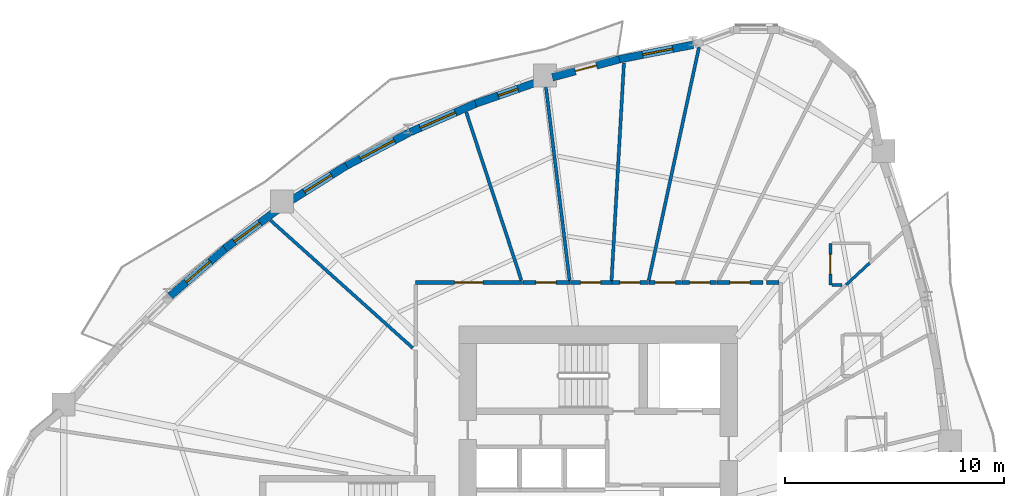
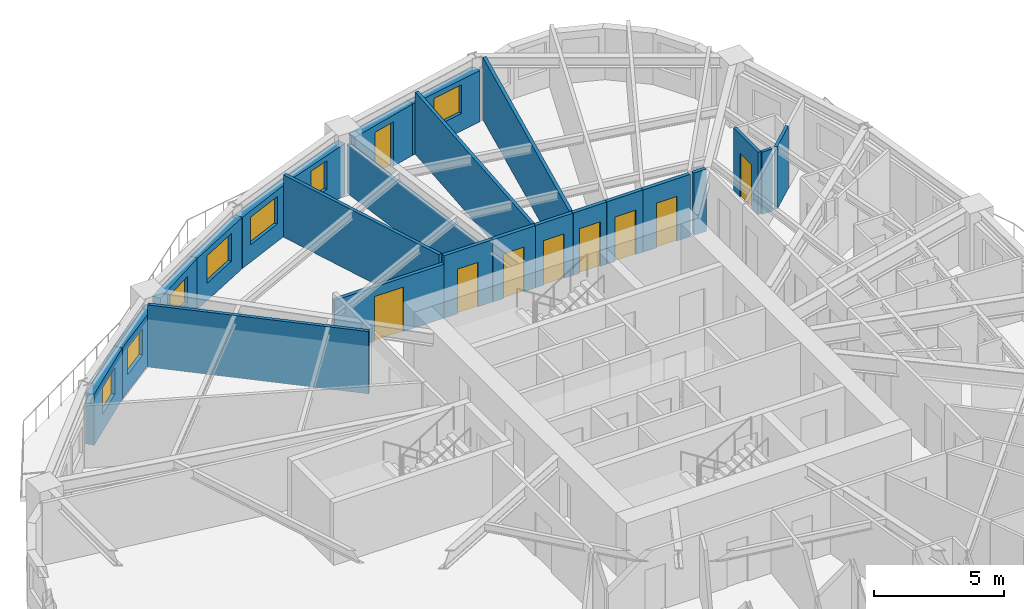
# One storey, part 8 of 14: 24 walls, 9 doors, 7 windows, 16 openings.
"""IFC4 building model written with IfcOpenShell, lengths in metres."""

from ifc_helpers import new_model, si_unit, direction, frame, frame_2d, origin, place, context, subcontext, project, spatial, rectangle, extrude, source, transform, mapped, material, layer, layer_set, type_object, element, fill, save


model = new_model("IFC4")

# Units and contexts
model_context = context("Model", 3, precision=1e-05, world=origin(), true_north=direction((0.0, 1.0)))
body_context = subcontext(model_context, "Body", "Model", "MODEL_VIEW")
ifc_project = project(units=[si_unit("LENGTHUNIT", "METRE"), si_unit("AREAUNIT", "SQUARE_METRE"), si_unit("VOLUMEUNIT", "CUBIC_METRE"), si_unit("PLANEANGLEUNIT", "RADIAN"), si_unit("MASSUNIT", "GRAM", prefix="KILO")], contexts=[model_context])

# Site, building, storey
site_placement = place(None, origin())
site = spatial("IfcSite", under=ifc_project, at=site_placement, CompositionType="ELEMENT")
building_placement = place(site_placement, origin())
building = spatial("IfcBuilding", under=site, at=building_placement, Name="Qafzar Sky-Pleat Residences", CompositionType="ELEMENT")
storey_placement = place(building_placement, frame((0.0, 0.0, 23.800048828125)))
storey = spatial("IfcBuildingStorey", under=building, at=storey_placement, Name="L06", CompositionType="ELEMENT", Elevation=23.800048828125)

# Wall, opening, door
ifc_material_1 = material(Name="Acoustic gypsum plasterboard partition", Category="gypsum")
ifc_layer_1 = layer(ifc_material_1, 0.159912109375)
ifc_layer_set_1 = layer_set([ifc_layer_1], Name="Acoustic gypsum plasterboard partition")
wall_type_1 = type_object("IfcWallType", Name="PART-COR-160", PredefinedType="PARTITIONING", material=ifc_layer_set_1)
wall_1_placement = place(storey_placement, frame((22.02001953125, 36.580078125, 0.0), z_axis=(0.0, 0.0, 1.0), x_axis=(1.0, 0.0, 0.0)))
wall_1 = element("IfcWall", 1, at=wall_1_placement, inside=storey, type_object=wall_type_1, Name="L06 Partition Wall PART-L06-PW-002", PredefinedType="PARTITIONING", context=body_context, shape_type="SweptSolid", body=[
    extrude(rectangle(XDim=4.8740234375, YDim=0.159912109375, at=frame_2d((2.43701171875, 0.0))), origin(), (0.0, 0.0, 1.0), 2.54296875),
])
opening_1_placement = place(wall_1_placement, frame((1.779052734375, 0.0, 0.0)))
opening_1 = element("IfcOpeningElement", 2, at=opening_1_placement, cuts=wall_1, Name="Opening ID-05", PredefinedType="OPENING", context=body_context, shape_type="SweptSolid", body=[
    extrude(rectangle(XDim=1.300048828125, YDim=2.10009765625, at=frame_2d((0.64990234375, 1.050048828125))), frame((0.0, 0.08984375, 0.0), z_axis=(0.0, -1.0, 0.0), x_axis=(1.0, 0.0, 0.0)), (0.0, 0.0, 1.0), 0.179931640625),
])
ifc_material_2 = material(Name="Timber-faced fire door", Category="wood")
door_type_1 = type_object("IfcDoorType", Name="DR-LNG-1300", OperationType="DOUBLE_DOOR_SINGLE_SWING", PredefinedType="DOOR", material=ifc_material_2)
shared_shape_1 = source(origin(), body_context, "Body", "SweptSolid", [
    extrude(rectangle(XDim=1.300048828125, YDim=2.10009765625, at=frame_2d((0.64990234375, 1.050048828125))), frame((0.0, 0.02490234375, 0.0), z_axis=(0.0, -1.0, 0.0), x_axis=(1.0, 0.0, 0.0)), (0.0, 0.0, 1.0), 0.050048828125),
])
door_1_placement = place(opening_1_placement, origin())
door_1 = element("IfcDoor", 3, at=door_1_placement, inside=storey, type_object=door_type_1, Name="L06 Tutorial Huddle Room Door", OperationType="DOUBLE_DOOR_SINGLE_SWING", OverallHeight=2.10009765625, OverallWidth=1.300048828125, PredefinedType="DOOR", context=body_context, shape_type="MappedRepresentation", body=[
    mapped(shared_shape_1, transform((0.0, 0.0, 0.0), x_axis=(1.0, 0.0, 0.0), y_axis=(0.0, 1.0, 0.0), z_axis=(0.0, 0.0, 1.0), scale=1.0)),
])
fill(opening_1, door_1)

wall_2_placement = place(storey_placement, frame((26.908935546875, 36.580078125, 0.0), z_axis=(0.0, 0.0, 1.0), x_axis=(1.0, 0.0, 0.0)))
wall_2 = element("IfcWall", 4, at=wall_2_placement, inside=storey, type_object=wall_type_1, Name="L06 Partition Wall PART-L06-PW-016", PredefinedType="PARTITIONING", context=body_context, shape_type="SweptSolid", body=[
    extrude(rectangle(XDim=2.162109375, YDim=0.159912109375, at=frame_2d((1.0810546875, 0.0))), origin(), (0.0, 0.0, 1.0), 2.93505859375),
])
opening_2_placement = place(wall_2_placement, frame((0.597412109375, 0.0, 0.0)))
opening_2 = element("IfcOpeningElement", 5, at=opening_2_placement, cuts=wall_2, Name="Opening ID-04", PredefinedType="OPENING", context=body_context, shape_type="SweptSolid", body=[
    extrude(rectangle(XDim=0.919921875, YDim=2.10009765625, at=frame_2d((0.4599609375, 1.050048828125))), frame((0.0, 0.08984375, 0.0), z_axis=(0.0, -1.0, 0.0), x_axis=(1.0, 0.0, 0.0)), (0.0, 0.0, 1.0), 0.179931640625),
])
door_type_2 = type_object("IfcDoorType", Name="DR-BED-920", OperationType="NOTDEFINED", PredefinedType="DOOR", material=ifc_material_2)
shared_shape_2 = source(origin(), body_context, "Body", "SweptSolid", [
    extrude(rectangle(XDim=0.919921875, YDim=2.10009765625, at=frame_2d((0.4599609375, 1.050048828125))), frame((0.0, 0.02490234375, 0.0), z_axis=(0.0, -1.0, 0.0), x_axis=(1.0, 0.0, 0.0)), (0.0, 0.0, 1.0), 0.050048828125),
])
door_2_placement = place(opening_2_placement, origin())
door_2 = element("IfcDoor", 6, at=door_2_placement, inside=storey, type_object=door_type_2, Name="L06 Co-Living Bedroom 3 Door", OperationType="SINGLE_SWING_LEFT", OverallHeight=2.10009765625, OverallWidth=0.919921875, PredefinedType="DOOR", context=body_context, shape_type="MappedRepresentation", body=[
    mapped(shared_shape_2, transform((0.0, 0.0, 0.0), x_axis=(1.0, 0.0, 0.0), y_axis=(0.0, 1.0, 0.0), z_axis=(0.0, 0.0, 1.0), scale=1.0)),
])
fill(opening_2, door_2)

wall_3_placement = place(storey_placement, frame((35.77294921875, 36.580078125, 0.0), z_axis=(0.0, 0.0, 1.0), x_axis=(1.0, 0.0, 0.0)))
wall_3 = element("IfcWall", 7, at=wall_3_placement, inside=storey, type_object=wall_type_1, Name="L06 Partition Wall PART-L06-PW-017", PredefinedType="PARTITIONING", context=body_context, shape_type="SweptSolid", body=[
    extrude(rectangle(XDim=2.09716796875, YDim=0.159912109375, at=frame_2d((1.048583984375, 0.0))), origin(), (0.0, 0.0, 1.0), 2.93505859375),
])
opening_3_placement = place(wall_3_placement, frame((0.587890625, 0.0, 0.0)))
opening_3 = element("IfcOpeningElement", 8, at=opening_3_placement, cuts=wall_3, Name="Opening ID-04", PredefinedType="OPENING", context=body_context, shape_type="SweptSolid", body=[
    extrude(rectangle(XDim=0.919921875, YDim=2.10009765625, at=frame_2d((0.4599609375, 1.050048828125))), frame((0.0, 0.08984375, 0.0), z_axis=(0.0, -1.0, 0.0), x_axis=(1.0, 0.0, 0.0)), (0.0, 0.0, 1.0), 0.179931640625),
])
door_3_placement = place(opening_3_placement, origin())
door_3 = element("IfcDoor", 9, at=door_3_placement, inside=storey, type_object=door_type_2, Name="L06 Co-Living Bedroom 16 Door", OperationType="SINGLE_SWING_RIGHT", OverallHeight=2.10009765625, OverallWidth=0.919921875, PredefinedType="DOOR", context=body_context, shape_type="MappedRepresentation", body=[
    mapped(shared_shape_2, transform((0.0, 0.0, 0.0), x_axis=(1.0, 0.0, 0.0), y_axis=(0.0, 1.0, 0.0), z_axis=(0.0, 0.0, 1.0), scale=1.0)),
])
fill(opening_3, door_3)

wall_4_placement = place(storey_placement, frame((29.0859375, 36.580078125, 0.0), z_axis=(0.0, 0.0, 1.0), x_axis=(1.0, 0.0, 0.0)))
wall_4 = element("IfcWall", 10, at=wall_4_placement, inside=storey, type_object=wall_type_1, Name="L06 Partition Wall PART-L06-PW-026", PredefinedType="PARTITIONING", context=body_context, shape_type="SweptSolid", body=[
    extrude(rectangle(XDim=1.882080078125, YDim=0.159912109375, at=frame_2d((0.94091796875, 0.0))), origin(), (0.0, 0.0, 1.0), 2.93505859375),
])
opening_4_placement = place(wall_4_placement, frame((0.4580078125, 0.0, 0.0)))
opening_4 = element("IfcOpeningElement", 11, at=opening_4_placement, cuts=wall_4, Name="Opening ID-04", PredefinedType="OPENING", context=body_context, shape_type="SweptSolid", body=[
    extrude(rectangle(XDim=0.919921875, YDim=2.10009765625, at=frame_2d((0.4599609375, 1.050048828125))), frame((0.0, 0.08984375, 0.0), z_axis=(0.0, -1.0, 0.0), x_axis=(1.0, 0.0, 0.0)), (0.0, 0.0, 1.0), 0.179931640625),
])
door_4_placement = place(opening_4_placement, origin())
door_4 = element("IfcDoor", 12, at=door_4_placement, inside=storey, type_object=door_type_2, Name="L06 Co-Living Bedroom 4 Door", OperationType="SINGLE_SWING_LEFT", OverallHeight=2.10009765625, OverallWidth=0.919921875, PredefinedType="DOOR", context=body_context, shape_type="MappedRepresentation", body=[
    mapped(shared_shape_2, transform((0.0, 0.0, 0.0), x_axis=(1.0, 0.0, 0.0), y_axis=(0.0, 1.0, 0.0), z_axis=(0.0, 0.0, 1.0), scale=1.0)),
])
fill(opening_4, door_4)

wall_5_placement = place(storey_placement, frame((30.98291015625, 36.580078125, 0.0), z_axis=(0.0, 0.0, 1.0), x_axis=(1.0, 0.0, 0.0)))
wall_5 = element("IfcWall", 13, at=wall_5_placement, inside=storey, type_object=wall_type_1, Name="L06 Partition Wall PART-L06-PW-030", PredefinedType="PARTITIONING", context=body_context, shape_type="SweptSolid", body=[
    extrude(rectangle(XDim=1.6650390625, YDim=0.159912109375, at=frame_2d((0.83251953125, 0.0))), origin(), (0.0, 0.0, 1.0), 2.93505859375),
])
opening_5_placement = place(wall_5_placement, frame((0.35009765625, 0.0, 0.0)))
opening_5 = element("IfcOpeningElement", 14, at=opening_5_placement, cuts=wall_5, Name="Opening ID-04", PredefinedType="OPENING", context=body_context, shape_type="SweptSolid", body=[
    extrude(rectangle(XDim=0.919921875, YDim=2.10009765625, at=frame_2d((0.4599609375, 1.050048828125))), frame((0.0, 0.08984375, 0.0), z_axis=(0.0, -1.0, 0.0), x_axis=(1.0, 0.0, 0.0)), (0.0, 0.0, 1.0), 0.179931640625),
])
door_5_placement = place(opening_5_placement, origin())
door_5 = element("IfcDoor", 15, at=door_5_placement, inside=storey, type_object=door_type_2, Name="L06 Co-Living Bedroom 1 Door", OperationType="SINGLE_SWING_LEFT", OverallHeight=2.10009765625, OverallWidth=0.919921875, PredefinedType="DOOR", context=body_context, shape_type="MappedRepresentation", body=[
    mapped(shared_shape_2, transform((0.0, 0.0, 0.0), x_axis=(1.0, 0.0, 0.0), y_axis=(0.0, 1.0, 0.0), z_axis=(0.0, 0.0, 1.0), scale=1.0)),
])
fill(opening_5, door_5)

wall_6_placement = place(storey_placement, frame((34.162109375, 36.580078125, 0.0), z_axis=(0.0, 0.0, 1.0), x_axis=(1.0, 0.0, 0.0)))
wall_6 = element("IfcWall", 16, at=wall_6_placement, inside=storey, type_object=wall_type_1, Name="L06 Partition Wall PART-L06-PW-032", PredefinedType="PARTITIONING", context=body_context, shape_type="SweptSolid", body=[
    extrude(rectangle(XDim=1.595947265625, YDim=0.159912109375, at=frame_2d((0.7978515625, 0.0))), origin(), (0.0, 0.0, 1.0), 2.93505859375),
])
opening_6_placement = place(wall_6_placement, frame((0.362060546875, 0.0, 0.0)))
opening_6 = element("IfcOpeningElement", 17, at=opening_6_placement, cuts=wall_6, Name="Opening ID-04", PredefinedType="OPENING", context=body_context, shape_type="SweptSolid", body=[
    extrude(rectangle(XDim=0.919921875, YDim=2.10009765625, at=frame_2d((0.4599609375, 1.050048828125))), frame((0.0, 0.08984375, 0.0), z_axis=(0.0, -1.0, 0.0), x_axis=(1.0, 0.0, 0.0)), (0.0, 0.0, 1.0), 0.179931640625),
])
door_6_placement = place(opening_6_placement, origin())
door_6 = element("IfcDoor", 18, at=door_6_placement, inside=storey, type_object=door_type_2, Name="L06 Co-Living Bedroom 15 Door", OperationType="SINGLE_SWING_LEFT", OverallHeight=2.10009765625, OverallWidth=0.919921875, PredefinedType="DOOR", context=body_context, shape_type="MappedRepresentation", body=[
    mapped(shared_shape_2, transform((0.0, 0.0, 0.0), x_axis=(1.0, 0.0, 0.0), y_axis=(0.0, 1.0, 0.0), z_axis=(0.0, 0.0, 1.0), scale=1.0)),
])
fill(opening_6, door_6)

wall_7_placement = place(storey_placement, frame((32.6630859375, 36.580078125, 0.0), z_axis=(0.0, 0.0, 1.0), x_axis=(1.0, 0.0, 0.0)))
wall_7 = element("IfcWall", 19, at=wall_7_placement, inside=storey, type_object=wall_type_1, Name="L06 Partition Wall PART-L06-PW-033", PredefinedType="PARTITIONING", context=body_context, shape_type="SweptSolid", body=[
    extrude(rectangle(XDim=1.48388671875, YDim=0.159912109375, at=frame_2d((0.741943359375, 0.0))), origin(), (0.0, 0.0, 1.0), 2.93505859375),
])
opening_7_placement = place(wall_7_placement, frame((0.282470703125, 0.0, 0.0)))
opening_7 = element("IfcOpeningElement", 20, at=opening_7_placement, cuts=wall_7, Name="Opening ID-04", PredefinedType="OPENING", context=body_context, shape_type="SweptSolid", body=[
    extrude(rectangle(XDim=0.919921875, YDim=2.10009765625, at=frame_2d((0.4599609375, 1.050048828125))), frame((0.0, 0.08984375, 0.0), z_axis=(0.0, -1.0, 0.0), x_axis=(1.0, 0.0, 0.0)), (0.0, 0.0, 1.0), 0.179931640625),
])
door_7_placement = place(opening_7_placement, origin())
door_7 = element("IfcDoor", 21, at=door_7_placement, inside=storey, type_object=door_type_2, Name="L06 Co-Living Bedroom 2 Door", OperationType="SINGLE_SWING_RIGHT", OverallHeight=2.10009765625, OverallWidth=0.919921875, PredefinedType="DOOR", context=body_context, shape_type="MappedRepresentation", body=[
    mapped(shared_shape_2, transform((0.0, 0.0, 0.0), x_axis=(1.0, 0.0, 0.0), y_axis=(0.0, 1.0, 0.0), z_axis=(0.0, 0.0, 1.0), scale=1.0)),
])
fill(opening_7, door_7)

# Walls
wall_8_placement = place(storey_placement, frame((38.03857421875, 36.580078125, 0.0), z_axis=(0.0, 0.0, 1.0), x_axis=(1.0, 0.0, 0.0)))
element("IfcWall", 22, at=wall_8_placement, inside=storey, type_object=wall_type_1, Name="L06 Partition Wall PART-L06-PW-098", PredefinedType="PARTITIONING", context=body_context, shape_type="SweptSolid", body=[
    extrude(rectangle(XDim=0.553466796875, YDim=0.159912109375, at=frame_2d((0.27685546875, 0.0))), origin(), (0.0, 0.0, 1.0), 2.93505859375),
])
ifc_layer_2 = layer(ifc_material_1, 0.14501953125)
ifc_layer_set_2 = layer_set([ifc_layer_2], Name="Acoustic gypsum plasterboard partition")
wall_type_2 = type_object("IfcWallType", Name="PART-UNIT-145", PredefinedType="PARTITIONING", material=ifc_layer_set_2)
wall_9_placement = place(storey_placement, frame((32.6552734375, 36.68310546875, 0.0), z_axis=(0.0, 0.0, 1.0), x_axis=(0.210861831441, 0.977515876107, 0.0)))
element("IfcWall", 23, at=wall_9_placement, inside=storey, type_object=wall_type_2, Name="L06 Partition Wall PART-L06-PW-038", PredefinedType="PARTITIONING", context=body_context, shape_type="SweptSolid", body=[
    extrude(rectangle(XDim=10.88232421875, YDim=0.14501953125, at=frame_2d((5.441162109375, 0.0))), origin(), (0.0, 0.0, 1.0), 2.93505859375),
])
wall_10_placement = place(storey_placement, frame((30.958251953125, 36.672119140625, 0.0), z_axis=(0.0, 0.0, 1.0), x_axis=(0.056976385457, 0.998375526293, 0.0)))
element("IfcWall", 24, at=wall_10_placement, inside=storey, type_object=wall_type_2, Name="L06 Partition Wall PART-L06-PW-039", PredefinedType="PARTITIONING", context=body_context, shape_type="SweptSolid", body=[
    extrude(rectangle(XDim=9.9453125, YDim=0.14501953125, at=frame_2d((4.97265625, 0.0))), origin(), (0.0, 0.0, 1.0), 2.93505859375),
])
wall_11_placement = place(storey_placement, frame((27.94189453125, 45.679931640625, 0.0), z_axis=(0.0, 0.0, 1.0), x_axis=(0.12142050141, -0.992601159498, 0.0)))
element("IfcWall", 25, at=wall_11_placement, inside=storey, type_object=wall_type_2, Name="L06 Partition Wall PART-L06-PW-041", PredefinedType="PARTITIONING", context=body_context, shape_type="SweptSolid", body=[
    extrude(rectangle(XDim=9.0703125, YDim=0.14501953125, at=frame_2d((4.53515625, 0.0))), origin(), (0.0, 0.0, 1.0), 2.302978515625),
])
wall_12_placement = place(storey_placement, frame((15.397705078125, 39.416748046875, 0.0), z_axis=(0.0, 0.0, 1.0), x_axis=(0.744248709075, -0.667902581998, 0.0)))
element("IfcWall", 26, at=wall_12_placement, inside=storey, type_object=wall_type_2, Name="L06 Partition Wall PART-L06-PW-042", PredefinedType="PARTITIONING", context=body_context, shape_type="SweptSolid", body=[
    extrude(rectangle(XDim=8.71728515625, YDim=0.14501953125, at=frame_2d((4.358642578125, 0.0))), origin(), (0.0, 0.0, 1.0), 2.93505859375),
])
wall_13_placement = place(storey_placement, frame((24.329833984375, 44.34716796875, 0.0), z_axis=(0.0, 0.0, 1.0), x_axis=(0.311716142238, -0.950175271552, 0.0)))
element("IfcWall", 27, at=wall_13_placement, inside=storey, type_object=wall_type_2, Name="L06 Partition Wall PART-L06-PW-044", PredefinedType="PARTITIONING", context=body_context, shape_type="SweptSolid", body=[
    extrude(rectangle(XDim=8.05859375, YDim=0.14501953125, at=frame_2d((4.029296875, 0.0))), origin(), (0.0, 0.0, 1.0), 2.93505859375),
])

# Wall, opening, door
ifc_material_3 = material(Name="Moisture-resistant gypsum partition", Category="gypsum")
ifc_layer_3 = layer(ifc_material_3, 0.1298828125)
ifc_layer_set_3 = layer_set([ifc_layer_3], Name="Moisture-resistant gypsum partition")
wall_type_3 = type_object("IfcWallType", Name="PART-WET-130", PredefinedType="PARTITIONING", material=ifc_layer_set_3)
wall_14_placement = place(storey_placement, frame((40.943115234375, 38.367919921875, 0.0), z_axis=(0.0, 0.0, 1.0), x_axis=(0.0, -1.0, 0.0)))
wall_14 = element("IfcWall", 28, at=wall_14_placement, inside=storey, type_object=wall_type_3, Name="L06 Partition Wall PART-L06-PW-024", PredefinedType="PARTITIONING", context=body_context, shape_type="SweptSolid", body=[
    extrude(rectangle(XDim=1.89990234375, YDim=0.1298828125, at=frame_2d((0.949951171875, 0.0))), origin(), (0.0, 0.0, 1.0), 2.93505859375),
])
opening_8_placement = place(wall_14_placement, frame((0.510009765625, 0.0, 0.0)))
opening_8 = element("IfcOpeningElement", 29, at=opening_8_placement, cuts=wall_14, Name="Opening ID-07", PredefinedType="OPENING", context=body_context, shape_type="SweptSolid", body=[
    extrude(rectangle(XDim=0.8798828125, YDim=2.050048828125, at=frame_2d((0.43994140625, 1.02490234375))), frame((0.0, 0.074951171875, 0.0), z_axis=(0.0, -1.0, 0.0), x_axis=(1.0, 0.0, 0.0)), (0.0, 0.0, 1.0), 0.14990234375),
])
door_type_3 = type_object("IfcDoorType", Name="DR-WET-880", OperationType="NOTDEFINED", PredefinedType="DOOR", material=ifc_material_2)
shared_shape_3 = source(origin(), body_context, "Body", "SweptSolid", [
    extrude(rectangle(XDim=0.8798828125, YDim=2.050048828125, at=frame_2d((0.43994140625, 1.02490234375))), frame((0.0, 0.02490234375, 0.0), z_axis=(0.0, -1.0, 0.0), x_axis=(1.0, 0.0, 0.0)), (0.0, 0.0, 1.0), 0.050048828125),
])
door_8_placement = place(opening_8_placement, origin())
door_8 = element("IfcDoor", 30, at=door_8_placement, inside=storey, type_object=door_type_3, Name="L06 En-suite Bathroom 13 Door", OperationType="SINGLE_SWING_LEFT", OverallHeight=2.050048828125, OverallWidth=0.8798828125, PredefinedType="DOOR", context=body_context, shape_type="MappedRepresentation", body=[
    mapped(shared_shape_3, transform((0.0, 0.0, 0.0), x_axis=(1.0, 0.0, 0.0), y_axis=(0.0, 1.0, 0.0), z_axis=(0.0, 0.0, 1.0), scale=1.0)),
])
fill(opening_8, door_8)

# Walls
wall_15_placement = place(storey_placement, frame((41.6650390625, 36.478271484375, 0.0), z_axis=(0.0, 0.0, 1.0), x_axis=(0.733534386117, 0.679652340821, 0.0)))
element("IfcWall", 31, at=wall_15_placement, inside=storey, type_object=wall_type_3, Name="L06 Partition Wall PART-L06-PW-089", PredefinedType="PARTITIONING", context=body_context, shape_type="SweptSolid", body=[
    extrude(rectangle(XDim=1.454345703125, YDim=0.1298828125, at=frame_2d((0.72705078125, 0.0))), origin(), (0.0, 0.0, 1.0), 2.93505859375),
])
wall_16_placement = place(storey_placement, frame((41.01611328125, 36.468017578125, 0.0), z_axis=(0.0, 0.0, 1.0), x_axis=(1.0, 0.0, 0.0)))
element("IfcWall", 32, at=wall_16_placement, inside=storey, type_object=wall_type_3, Name="L06 Partition Wall PART-L06-PW-099", PredefinedType="PARTITIONING", context=body_context, shape_type="SweptSolid", body=[
    extrude(rectangle(XDim=0.452880859375, YDim=0.1298828125, at=frame_2d((0.2265625, 0.0))), origin(), (0.0, 0.0, 1.0), 2.93505859375),
])

# Wall, opening, window
ifc_material_4 = material(Name="Precast concrete C40/50 with honed Riyadh limestone", Category="concrete")
ifc_layer_4 = layer(ifc_material_4, 0.35009765625)
ifc_layer_set_4 = layer_set([ifc_layer_4], Name="Precast concrete C40/50 with honed Riyadh limestone")
wall_type_4 = type_object("IfcWallType", Name="WALL-EXT-350", PredefinedType="SOLIDWALL", material=ifc_layer_set_4)
wall_17_placement = place(storey_placement, frame((34.6865234375, 47.427490234375, 0.0), z_axis=(0.0, 0.0, 1.0), x_axis=(-0.981220485855, -0.192889497219, 0.0)))
wall_17 = element("IfcWall", 33, at=wall_17_placement, inside=storey, type_object=wall_type_4, Name="L06 Limestone Facade Wall 39", PredefinedType="SOLIDWALL", context=body_context, shape_type="SweptSolid", body=[
    extrude(rectangle(XDim=3.5224609375, YDim=0.35009765625, at=frame_2d((1.76123046875, 0.0))), origin(), (0.0, 0.0, 1.0), 2.4150390625),
])
opening_9_placement = place(wall_17_placement, frame((0.9560546875, 0.0, 0.820068359375)))
opening_9 = element("IfcOpeningElement", 34, at=opening_9_placement, cuts=wall_17, Name="Opening WN-10", PredefinedType="OPENING", context=body_context, shape_type="SweptSolid", body=[
    extrude(rectangle(XDim=1.39990234375, YDim=1.35009765625, at=frame_2d((0.699951171875, 0.675048828125))), frame((0.0, 0.18505859375, 0.0), z_axis=(0.0, -1.0, 0.0), x_axis=(1.0, 0.0, 0.0)), (0.0, 0.0, 1.0), 0.3701171875),
])
ifc_material_5 = material(Name="Solar-control low-E glass in bronze aluminium frame", Category="glass")
window_type_1 = type_object("IfcWindowType", Name="WIN-10", PartitioningType="SINGLE_PANEL", PredefinedType="WINDOW", material=ifc_material_5)
shared_shape_4 = source(origin(), body_context, "Body", "SweptSolid", [
    extrude(rectangle(XDim=1.39990234375, YDim=1.35009765625, at=frame_2d((0.699951171875, 0.675048828125))), frame((0.0, 0.030029296875, 0.0), z_axis=(0.0, -1.0, 0.0), x_axis=(1.0, 0.0, 0.0)), (0.0, 0.0, 1.0), 0.06005859375),
])
window_1_placement = place(opening_9_placement, origin())
window_1 = element("IfcWindow", 35, at=window_1_placement, inside=storey, type_object=window_type_1, Name="L06 Punched Facade Window 39", OverallHeight=1.35009765625, OverallWidth=1.39990234375, PartitioningType="SINGLE_PANEL", PredefinedType="WINDOW", context=body_context, shape_type="MappedRepresentation", body=[
    mapped(shared_shape_4, transform((0.0, 0.0, 0.0), x_axis=(1.0, 0.0, 0.0), y_axis=(0.0, 1.0, 0.0), z_axis=(0.0, 0.0, 1.0), scale=1.0)),
])
fill(opening_9, window_1)

# Wall, opening, door
wall_18_placement = place(storey_placement, frame((31.31591796875, 46.76806640625, 0.0), z_axis=(0.0, 0.0, 1.0), x_axis=(-0.965446721184, -0.260600515261, 0.0)))
wall_18 = element("IfcWall", 36, at=wall_18_placement, inside=storey, type_object=wall_type_4, Name="L06 Limestone Facade Wall 40", PredefinedType="SOLIDWALL", context=body_context, shape_type="SweptSolid", body=[
    extrude(rectangle(XDim=3.16943359375, YDim=0.35009765625, at=frame_2d((1.584716796875, 0.0))), origin(), (0.0, 0.0, 1.0), 2.4150390625),
])
opening_10_placement = place(wall_18_placement, frame((1.084716796875, 0.0, 0.0)))
opening_10 = element("IfcOpeningElement", 37, at=opening_10_placement, cuts=wall_18, Name="Opening ED-05", PredefinedType="OPENING", context=body_context, shape_type="SweptSolid", body=[
    extrude(rectangle(XDim=1.0, YDim=2.10009765625, at=frame_2d((0.5, 1.050048828125))), frame((0.0, 0.18505859375, 0.0), z_axis=(0.0, -1.0, 0.0), x_axis=(1.0, 0.0, 0.0)), (0.0, 0.0, 1.0), 0.3701171875),
])
ifc_material_6 = material(Name="Glazed bronze aluminium door", Category="aluminium")
door_type_4 = type_object("IfcDoorType", Name="DR-BAL-1000", OperationType="NOTDEFINED", PredefinedType="DOOR", material=ifc_material_6)
shared_shape_5 = source(origin(), body_context, "Body", "SweptSolid", [
    extrude(rectangle(XDim=1.0, YDim=2.10009765625, at=frame_2d((0.5, 1.050048828125))), frame((0.0, 0.02490234375, 0.0), z_axis=(0.0, -1.0, 0.0), x_axis=(1.0, 0.0, 0.0)), (0.0, 0.0, 1.0), 0.050048828125),
])
door_9_placement = place(opening_10_placement, origin())
door_9 = element("IfcDoor", 38, at=door_9_placement, inside=storey, type_object=door_type_4, Name="L06 Glazed Balcony Door 2", OperationType="SINGLE_SWING_LEFT", OverallHeight=2.10009765625, OverallWidth=1.0, PredefinedType="DOOR", context=body_context, shape_type="MappedRepresentation", body=[
    mapped(shared_shape_5, transform((0.0, 0.0, 0.0), x_axis=(1.0, 0.0, 0.0), y_axis=(0.0, 1.0, 0.0), z_axis=(0.0, 0.0, 1.0), scale=1.0)),
])
fill(opening_10, door_9)

# Wall, opening, window
wall_19_placement = place(storey_placement, frame((27.6953125, 45.768798828125, 0.0), z_axis=(0.0, 0.0, 1.0), x_axis=(-0.94414288081, -0.329536372221, 0.0)))
wall_19 = element("IfcWall", 39, at=wall_19_placement, inside=storey, type_object=wall_type_4, Name="L06 Limestone Facade Wall 41", PredefinedType="SOLIDWALL", context=body_context, shape_type="SweptSolid", body=[
    extrude(rectangle(XDim=3.113037109375, YDim=0.35009765625, at=frame_2d((1.556640625, 0.0))), origin(), (0.0, 0.0, 1.0), 2.4150390625),
])
opening_11_placement = place(wall_19_placement, frame((1.07666015625, 0.0, 0.820068359375)))
opening_11 = element("IfcOpeningElement", 40, at=opening_11_placement, cuts=wall_19, Name="Opening WN-12", PredefinedType="OPENING", context=body_context, shape_type="SweptSolid", body=[
    extrude(rectangle(XDim=0.949951171875, YDim=1.35009765625, at=frame_2d((0.47509765625, 0.675048828125))), frame((0.0, 0.18505859375, 0.0), z_axis=(0.0, -1.0, 0.0), x_axis=(1.0, 0.0, 0.0)), (0.0, 0.0, 1.0), 0.3701171875),
])
window_type_2 = type_object("IfcWindowType", Name="WIN-12", PartitioningType="SINGLE_PANEL", PredefinedType="WINDOW", material=ifc_material_5)
shared_shape_6 = source(origin(), body_context, "Body", "SweptSolid", [
    extrude(rectangle(XDim=0.949951171875, YDim=1.35009765625, at=frame_2d((0.47509765625, 0.675048828125))), frame((0.0, 0.030029296875, 0.0), z_axis=(0.0, -1.0, 0.0), x_axis=(1.0, 0.0, 0.0)), (0.0, 0.0, 1.0), 0.06005859375),
])
window_2_placement = place(opening_11_placement, origin())
window_2 = element("IfcWindow", 41, at=window_2_placement, inside=storey, type_object=window_type_2, Name="L06 Punched Facade Window 41", OverallHeight=1.35009765625, OverallWidth=0.949951171875, PartitioningType="SINGLE_PANEL", PredefinedType="WINDOW", context=body_context, shape_type="MappedRepresentation", body=[
    mapped(shared_shape_6, transform((0.0, 0.0, 0.0), x_axis=(1.0, 0.0, 0.0), y_axis=(0.0, 1.0, 0.0), z_axis=(0.0, 0.0, 1.0), scale=1.0)),
])
fill(opening_11, window_2)

wall_20_placement = place(storey_placement, frame((24.8388671875, 44.775390625, 0.0), z_axis=(0.0, 0.0, 1.0), x_axis=(-0.917081622701, -0.398699507529, 0.0)))
wall_20 = element("IfcWall", 42, at=wall_20_placement, inside=storey, type_object=wall_type_4, Name="L06 Limestone Facade Wall 42", PredefinedType="SOLIDWALL", context=body_context, shape_type="SweptSolid", body=[
    extrude(rectangle(XDim=3.355712890625, YDim=0.35009765625, at=frame_2d((1.677734375, 0.0))), origin(), (0.0, 0.0, 1.0), 2.4150390625),
])
opening_12_placement = place(wall_20_placement, frame((1.090576171875, 0.0, 0.820068359375)))
opening_12 = element("IfcOpeningElement", 43, at=opening_12_placement, cuts=wall_20, Name="Opening WN-14", PredefinedType="OPENING", context=body_context, shape_type="SweptSolid", body=[
    extrude(rectangle(XDim=1.75, YDim=1.300048828125, at=frame_2d((0.875, 0.64990234375))), frame((0.0, 0.18505859375, 0.0), z_axis=(0.0, -1.0, 0.0), x_axis=(1.0, 0.0, 0.0)), (0.0, 0.0, 1.0), 0.3701171875),
])
window_type_3 = type_object("IfcWindowType", Name="WIN-14", PartitioningType="DOUBLE_PANEL_VERTICAL", PredefinedType="WINDOW", material=ifc_material_5)
shared_shape_7 = source(origin(), body_context, "Body", "SweptSolid", [
    extrude(rectangle(XDim=1.75, YDim=1.300048828125, at=frame_2d((0.875, 0.64990234375))), frame((0.0, 0.030029296875, 0.0), z_axis=(0.0, -1.0, 0.0), x_axis=(1.0, 0.0, 0.0)), (0.0, 0.0, 1.0), 0.06005859375),
])
window_3_placement = place(opening_12_placement, origin())
window_3 = element("IfcWindow", 44, at=window_3_placement, inside=storey, type_object=window_type_3, Name="L06 Punched Facade Window 42-2", OverallHeight=1.300048828125, OverallWidth=1.75, PartitioningType="SINGLE_PANEL", PredefinedType="WINDOW", context=body_context, shape_type="MappedRepresentation", body=[
    mapped(shared_shape_7, transform((0.0, 0.0, 0.0), x_axis=(1.0, 0.0, 0.0), y_axis=(0.0, 1.0, 0.0), z_axis=(0.0, 0.0, 1.0), scale=1.0)),
])
fill(opening_12, window_3)

wall_21_placement = place(storey_placement, frame((21.7373046875, 43.42578125, 0.0), z_axis=(0.0, 0.0, 1.0), x_axis=(-0.884406567815, -0.466717283595, 0.0)))
wall_21 = element("IfcWall", 45, at=wall_21_placement, inside=storey, type_object=wall_type_4, Name="L06 Limestone Facade Wall 43", PredefinedType="SOLIDWALL", context=body_context, shape_type="SweptSolid", body=[
    extrude(rectangle(XDim=3.33642578125, YDim=0.35009765625, at=frame_2d((1.668212890625, 0.0))), origin(), (0.0, 0.0, 1.0), 2.4150390625),
])
opening_13_placement = place(wall_21_placement, frame((0.783203125, 0.0, 0.820068359375)))
opening_13 = element("IfcOpeningElement", 46, at=opening_13_placement, cuts=wall_21, Name="Opening WN-14", PredefinedType="OPENING", context=body_context, shape_type="SweptSolid", body=[
    extrude(rectangle(XDim=1.75, YDim=1.300048828125, at=frame_2d((0.875, 0.64990234375))), frame((0.0, 0.18505859375, 0.0), z_axis=(0.0, -1.0, 0.0), x_axis=(1.0, 0.0, 0.0)), (0.0, 0.0, 1.0), 0.3701171875),
])
window_4_placement = place(opening_13_placement, origin())
window_4 = element("IfcWindow", 47, at=window_4_placement, inside=storey, type_object=window_type_3, Name="L06 Punched Facade Window 43", OverallHeight=1.300048828125, OverallWidth=1.75, PartitioningType="SINGLE_PANEL", PredefinedType="WINDOW", context=body_context, shape_type="MappedRepresentation", body=[
    mapped(shared_shape_7, transform((0.0, 0.0, 0.0), x_axis=(1.0, 0.0, 0.0), y_axis=(0.0, 1.0, 0.0), z_axis=(0.0, 0.0, 1.0), scale=1.0)),
])
fill(opening_13, window_4)

wall_22_placement = place(storey_placement, frame((18.864013671875, 41.9130859375, 0.0), z_axis=(0.0, 0.0, 1.0), x_axis=(-0.84643287852, -0.532495429239, 0.0)))
wall_22 = element("IfcWall", 48, at=wall_22_placement, inside=storey, type_object=wall_type_4, Name="L06 Limestone Facade Wall 44", PredefinedType="SOLIDWALL", context=body_context, shape_type="SweptSolid", body=[
    extrude(rectangle(XDim=3.05615234375, YDim=0.35009765625, at=frame_2d((1.528076171875, 0.0))), origin(), (0.0, 0.0, 1.0), 2.4150390625),
])
opening_14_placement = place(wall_22_placement, frame((0.80810546875, 0.0, 0.820068359375)))
opening_14 = element("IfcOpeningElement", 49, at=opening_14_placement, cuts=wall_22, Name="Opening WN-15", PredefinedType="OPENING", context=body_context, shape_type="SweptSolid", body=[
    extrude(rectangle(XDim=1.449951171875, YDim=1.25, at=frame_2d((0.72509765625, 0.625))), frame((0.0, 0.18505859375, 0.0), z_axis=(0.0, -1.0, 0.0), x_axis=(1.0, 0.0, 0.0)), (0.0, 0.0, 1.0), 0.3701171875),
])
window_type_4 = type_object("IfcWindowType", Name="WIN-15", PartitioningType="SINGLE_PANEL", PredefinedType="WINDOW", material=ifc_material_5)
shared_shape_8 = source(origin(), body_context, "Body", "SweptSolid", [
    extrude(rectangle(XDim=1.449951171875, YDim=1.25, at=frame_2d((0.72509765625, 0.625))), frame((0.0, 0.030029296875, 0.0), z_axis=(0.0, -1.0, 0.0), x_axis=(1.0, 0.0, 0.0)), (0.0, 0.0, 1.0), 0.06005859375),
])
window_5_placement = place(opening_14_placement, origin())
window_5 = element("IfcWindow", 50, at=window_5_placement, inside=storey, type_object=window_type_4, Name="L06 Punched Facade Window 44", OverallHeight=1.25, OverallWidth=1.449951171875, PartitioningType="SINGLE_PANEL", PredefinedType="WINDOW", context=body_context, shape_type="MappedRepresentation", body=[
    mapped(shared_shape_8, transform((0.0, 0.0, 0.0), x_axis=(1.0, 0.0, 0.0), y_axis=(0.0, 1.0, 0.0), z_axis=(0.0, 0.0, 1.0), scale=1.0)),
])
fill(opening_14, window_5)

wall_23_placement = place(storey_placement, frame((15.79296875, 39.954833984375, 0.0), z_axis=(0.0, 0.0, 1.0), x_axis=(-0.803813051054, -0.594881987419, 0.0)))
wall_23 = element("IfcWall", 51, at=wall_23_placement, inside=storey, type_object=wall_type_4, Name="L06 Limestone Facade Wall 45", PredefinedType="SOLIDWALL", context=body_context, shape_type="SweptSolid", body=[
    extrude(rectangle(XDim=3.075439453125, YDim=0.35009765625, at=frame_2d((1.53759765625, 0.0))), origin(), (0.0, 0.0, 1.0), 2.4150390625),
])
opening_15_placement = place(wall_23_placement, frame((1.09521484375, 0.0, 0.820068359375)))
opening_15 = element("IfcOpeningElement", 52, at=opening_15_placement, cuts=wall_23, Name="Opening WN-15", PredefinedType="OPENING", context=body_context, shape_type="SweptSolid", body=[
    extrude(rectangle(XDim=1.449951171875, YDim=1.25, at=frame_2d((0.72509765625, 0.625))), frame((0.0, 0.18505859375, 0.0), z_axis=(0.0, -1.0, 0.0), x_axis=(1.0, 0.0, 0.0)), (0.0, 0.0, 1.0), 0.3701171875),
])
window_6_placement = place(opening_15_placement, origin())
window_6 = element("IfcWindow", 53, at=window_6_placement, inside=storey, type_object=window_type_4, Name="L06 Punched Facade Window 45-2", OverallHeight=1.25, OverallWidth=1.449951171875, PartitioningType="SINGLE_PANEL", PredefinedType="WINDOW", context=body_context, shape_type="MappedRepresentation", body=[
    mapped(shared_shape_8, transform((0.0, 0.0, 0.0), x_axis=(1.0, 0.0, 0.0), y_axis=(0.0, 1.0, 0.0), z_axis=(0.0, 0.0, 1.0), scale=1.0)),
])
fill(opening_15, window_6)

wall_24_placement = place(storey_placement, frame((13.39013671875, 38.180908203125, 0.0), z_axis=(0.0, 0.0, 1.0), x_axis=(-0.757476213352, -0.652862762153, 0.0)))
wall_24 = element("IfcWall", 54, at=wall_24_placement, inside=storey, type_object=wall_type_4, Name="L06 Limestone Facade Wall 46", PredefinedType="SOLIDWALL", context=body_context, shape_type="SweptSolid", body=[
    extrude(rectangle(XDim=3.393310546875, YDim=0.35009765625, at=frame_2d((1.69677734375, 0.0))), origin(), (0.0, 0.0, 1.0), 2.4150390625),
])
opening_16_placement = place(wall_24_placement, frame((0.981689453125, 0.0, 0.820068359375)))
opening_16 = element("IfcOpeningElement", 55, at=opening_16_placement, cuts=wall_24, Name="Opening WN-15", PredefinedType="OPENING", context=body_context, shape_type="SweptSolid", body=[
    extrude(rectangle(XDim=1.449951171875, YDim=1.25, at=frame_2d((0.72509765625, 0.625))), frame((0.0, 0.18505859375, 0.0), z_axis=(0.0, -1.0, 0.0), x_axis=(1.0, 0.0, 0.0)), (0.0, 0.0, 1.0), 0.3701171875),
])
window_7_placement = place(opening_16_placement, origin())
window_7 = element("IfcWindow", 56, at=window_7_placement, inside=storey, type_object=window_type_4, Name="L06 Punched Facade Window 46", OverallHeight=1.25, OverallWidth=1.449951171875, PartitioningType="SINGLE_PANEL", PredefinedType="WINDOW", context=body_context, shape_type="MappedRepresentation", body=[
    mapped(shared_shape_8, transform((0.0, 0.0, 0.0), x_axis=(1.0, 0.0, 0.0), y_axis=(0.0, 1.0, 0.0), z_axis=(0.0, 0.0, 1.0), scale=1.0)),
])
fill(opening_16, window_7)

save(model, "model.ifc")
